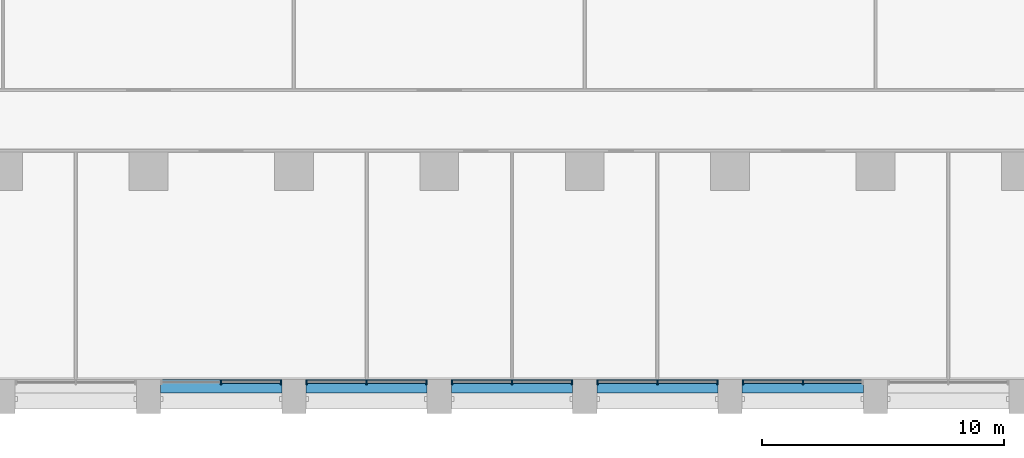
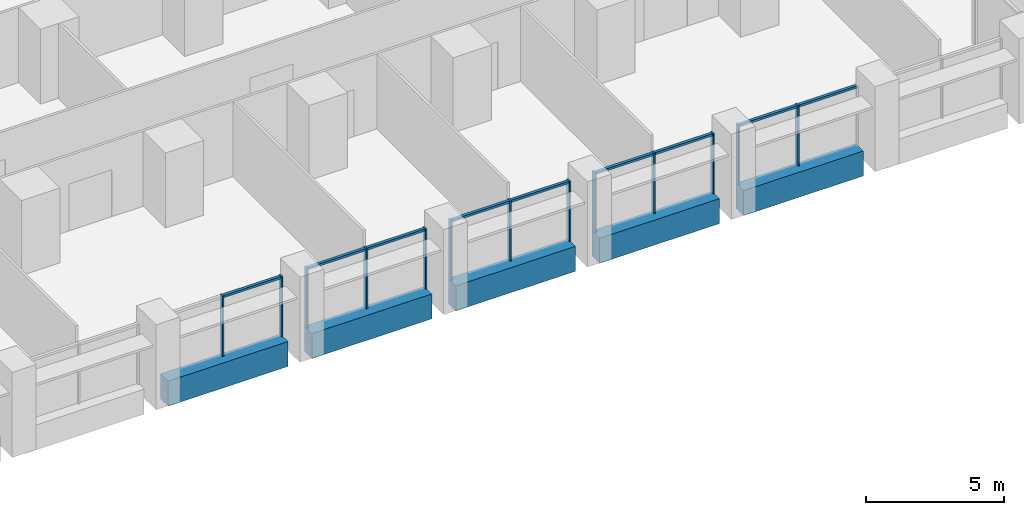
# One storey, part 3 of 18: 22 members, 5 beams, 5 elements without a shape of their own.
"""IFC4 building model written with IfcOpenShell, lengths in metres."""

import ifcopenshell
import ifcopenshell.guid

model = None  # the IFC model being written
_history = None  # IfcOwnerHistory: only IFC2X3 demands one
_inside = {}  # id of a spatial element -> (the spatial element, [elements in it])
_under = {}  # id of a project, library or spatial element -> (it, [spatial elements below it])
_declared = {}  # id of a project -> (the project, [libraries it declares])
_typed = {}  # id of a type object -> (the type object, [elements of that type])
_made_of = {}  # id of a material, layer set ... -> (it, [elements and type objects made of it])


def new_model(schema):
    """Start an empty IFC model of exactly this schema.

    Asked for "IFC4X3", IfcOpenShell would pick the latest addendum, in which some entities
    have other attributes; the version numbers below select the first issue.
    IFC2X3 requires an IfcOwnerHistory on every rooted entity: one is made here for all.
    """
    global model, _history
    if schema == "IFC4X3":
        model = ifcopenshell.file(schema_version=(4, 3, 0, 0))
    else:
        model = ifcopenshell.file(schema=schema)
    _inside.clear()
    _under.clear()
    _declared.clear()
    _typed.clear()
    _made_of.clear()
    _history = None
    if model.schema == "IFC2X3":
        org = make("IfcOrganization", Name="unknown")
        user = make(
            "IfcPersonAndOrganization",
            ThePerson=make("IfcPerson", FamilyName="unknown"),
            TheOrganization=org,
        )
        app = make(
            "IfcApplication",
            ApplicationDeveloper=org,
            Version="unknown",
            ApplicationFullName="unknown",
            ApplicationIdentifier="unknown",
        )
        _history = make(
            "IfcOwnerHistory",
            OwningUser=user,
            OwningApplication=app,
            ChangeAction="ADDED",
            CreationDate=0,
        )
    return model


def make(cls, **values):
    """One entity of the class cls with the attributes given. An attribute that is None is left unset."""
    return model.create_entity(
        cls, **{name: value for name, value in values.items() if value is not None}
    )


def rooted(cls, **values):
    """An entity with a GlobalId (a new one), such as an element, a storey or a relation."""
    return make(cls, GlobalId=ifcopenshell.guid.new(), OwnerHistory=_history, **values)


def si_unit(unit_type, name, prefix=None):
    """IfcSIUnit, for example si_unit("LENGTHUNIT", "METRE", prefix="MILLI")."""
    return make("IfcSIUnit", UnitType=unit_type, Prefix=prefix, Name=name)


def assignment(units):
    """IfcUnitAssignment: the units of a project."""
    return None if units is None else make("IfcUnitAssignment", Units=units)


def point(xyz):
    """IfcCartesianPoint."""
    return None if xyz is None else make("IfcCartesianPoint", Coordinates=xyz)


def direction(xyz):
    """IfcDirection."""
    return None if xyz is None else make("IfcDirection", DirectionRatios=xyz)


def frame(location, z_axis=None, x_axis=None):
    """IfcAxis2Placement3D, a coordinate frame: its origin and axes. An axis left out is left unset."""
    return make(
        "IfcAxis2Placement3D",
        Location=point(location),
        Axis=direction(z_axis),
        RefDirection=direction(x_axis),
    )


def frame_2d(location, x_axis=None):
    """IfcAxis2Placement2D, a coordinate frame in the plane: its origin and x axis."""
    return make(
        "IfcAxis2Placement2D", Location=point(location), RefDirection=direction(x_axis)
    )


def origin():
    """The frame at (0, 0, 0) with its axes left unset."""
    return frame((0.0, 0.0, 0.0))


def origin_2d():
    """The frame at (0, 0) in the plane with its x axis left unset."""
    return frame_2d((0.0, 0.0))


def place(relative_to, where):
    """IfcLocalPlacement: puts the frame where relative to a parent placement (None: the world)."""
    return make(
        "IfcLocalPlacement", PlacementRelTo=relative_to, RelativePlacement=where
    )


def context(
    kind, dimensions, precision=None, world=None, true_north=None, identifier=None
):
    """IfcGeometricRepresentationContext, for example the 3D "Model" context."""
    return make(
        "IfcGeometricRepresentationContext",
        ContextIdentifier=identifier,
        ContextType=kind,
        CoordinateSpaceDimension=dimensions,
        Precision=precision,
        WorldCoordinateSystem=world,
        TrueNorth=true_north,
    )


def subcontext(parent, identifier, kind, view, scale=None):
    """IfcGeometricRepresentationSubContext, for example "Body" below "Model"."""
    return make(
        "IfcGeometricRepresentationSubContext",
        ContextIdentifier=identifier,
        ContextType=kind,
        ParentContext=parent,
        TargetScale=scale,
        TargetView=view,
    )


def project(units=None, contexts=None):
    """IfcProject with its units and contexts."""
    return rooted(
        "IfcProject",
        Name="project",
        RepresentationContexts=contexts,
        UnitsInContext=assignment(units),
    )


def spatial(cls, under=None, at=None, **own):
    """A site, building, storey or space (cls), placed at a placement, below another one or the project."""
    s = rooted(cls, ObjectPlacement=at, **own)
    if under is not None:
        _under.setdefault(under.id(), (under, []))[1].append(s)
    return s


def profile(cls, at=None, kind="AREA", **sizes):
    """A parametric profile (cls). Its sizes go by their IFC names, for example OverallWidth=200.0."""
    return make(cls, ProfileType=kind, Position=at, **sizes)


def rectangle(**sizes):
    """IfcRectangleProfileDef."""
    return profile("IfcRectangleProfileDef", **sizes)


def extrude(swept, where, along, depth):
    """IfcExtrudedAreaSolid: the profile swept, set in the frame where, extruded along a direction by depth."""
    return make(
        "IfcExtrudedAreaSolid",
        SweptArea=swept,
        Position=where,
        ExtrudedDirection=direction(along),
        Depth=depth,
    )


def shape(context_of_items, identifier, shape_type, items):
    """IfcShapeRepresentation: the items that make up one representation, for example the "Body"."""
    return make(
        "IfcShapeRepresentation",
        ContextOfItems=context_of_items,
        RepresentationIdentifier=identifier,
        RepresentationType=shape_type,
        Items=items,
    )


def material(Name=None, Category=None):
    """IfcMaterial."""
    return make("IfcMaterial", Name=Name, Category=Category)


def material_profile(
    of_material, cross_section, Name=None, Category=None, Priority=None
):
    """IfcMaterialProfile: a cross section and its material."""
    return make(
        "IfcMaterialProfile",
        Name=Name,
        Material=of_material,
        Profile=cross_section,
        Priority=Priority,
        Category=Category,
    )


def profile_set(profiles, Name=None, composite=None):
    """IfcMaterialProfileSet."""
    return make(
        "IfcMaterialProfileSet",
        Name=Name,
        MaterialProfiles=profiles,
        CompositeProfile=composite,
    )


def made_of(thing, what):
    """Note that an element or type object is made of a material, layer set ...; save() writes the relation."""
    if what is not None:
        _made_of.setdefault(what.id(), (what, []))[1].append(thing)
    return thing


def type_object(cls, material=None, **own):
    """A type object (cls), such as IfcWallType, which elements share."""
    return made_of(rooted(cls, **own), material)


def element(
    cls,
    number,
    at=None,
    inside=None,
    cuts=None,
    type_object=None,
    material=None,
    context=None,
    identifier="Body",
    shape_type=None,
    held_by="IfcProductDefinitionShape",
    body=None,
    shapes=None,
    **own,
):
    """One element of the class cls, such as IfcWall. Its Tag is "e" and its number.

    at: its placement. inside: the storey or other place that contains it. cuts: it is an
    opening in that element (IfcRelVoidsElement). A single representation is given by context,
    identifier, shape_type and body (its items); several are given by shapes. held_by: the class
    of the entity that holds the representations. save() writes the other relations.
    """
    e = rooted(cls, Tag="e%d" % number, ObjectPlacement=at, **own)
    if body is not None:
        shapes = [shape(context, identifier, shape_type, body)]
    if shapes is not None:
        e.Representation = make(held_by, Representations=shapes)
    if inside is not None:
        _inside.setdefault(inside.id(), (inside, []))[1].append(e)
    if cuts is not None:
        rooted(
            "IfcRelVoidsElement", RelatingBuildingElement=cuts, RelatedOpeningElement=e
        )
    if type_object is not None:
        _typed.setdefault(type_object.id(), (type_object, []))[1].append(e)
    return made_of(e, material)


def aggregate(whole, parts):
    """IfcRelAggregates: a whole, such as a stair, and the parts it consists of."""
    return rooted("IfcRelAggregates", RelatingObject=whole, RelatedObjects=parts)


def save(model, path):
    """Write the relations noted so far, then the file.

    IfcRelAggregates (storeys below a building ...), IfcRelContainedInSpatialStructure (elements
    in a storey), IfcRelDefinesByType, IfcRelAssociatesMaterial and IfcRelDeclares: one each for
    every whole, place, type object, material and project.
    """
    for whole, parts in _under.values():
        aggregate(whole, parts)
    for where, things in _inside.values():
        rooted(
            "IfcRelContainedInSpatialStructure",
            RelatedElements=things,
            RelatingStructure=where,
        )
    for kind, things in _typed.values():
        rooted("IfcRelDefinesByType", RelatedObjects=things, RelatingType=kind)
    for what, things in _made_of.values():
        rooted("IfcRelAssociatesMaterial", RelatedObjects=things, RelatingMaterial=what)
    for by, libraries in _declared.values():
        rooted("IfcRelDeclares", RelatingContext=by, RelatedDefinitions=libraries)
    model.write(path)


model = new_model("IFC4")

# Units and contexts
model_context = context("Model", 3, precision=1e-05, world=origin(), true_north=direction((0.0, 1.0)))
body_context = subcontext(model_context, "Body", "Model", "MODEL_VIEW")
ifc_project = project(units=[si_unit("LENGTHUNIT", "METRE"), si_unit("AREAUNIT", "SQUARE_METRE"), si_unit("VOLUMEUNIT", "CUBIC_METRE"), si_unit("PLANEANGLEUNIT", "RADIAN"), si_unit("MASSUNIT", "GRAM", prefix="KILO")], contexts=[model_context])

# Site, building, storey
site_placement = place(None, origin())
site = spatial("IfcSite", under=ifc_project, at=site_placement, CompositionType="ELEMENT")
building_placement = place(site_placement, origin())
building = spatial("IfcBuilding", under=site, at=building_placement, Name="Calvaro Tower", CompositionType="ELEMENT")
storey_placement = place(building_placement, frame((0.0, 0.0, 63.75)))
storey = spatial("IfcBuildingStorey", under=building, at=storey_placement, Name="L15", CompositionType="ELEMENT", Elevation=63.75)

# Curtain wall, members
ifc_material_1 = material(Name="Anodised aluminium", Category="aluminium")
curtain_wall_type = type_object("IfcCurtainWallType", Name="Office curtain wall, lower zone", PredefinedType="NOTDEFINED", material=ifc_material_1)
curtain_wall_1_placement = place(storey_placement, origin())
curtain_wall_1 = element("IfcCurtainWall", 1, at=curtain_wall_1_placement, inside=storey, type_object=curtain_wall_type, Name="CW1 south curtain wall", PredefinedType="NOTDEFINED")
ifc_material_2 = material(Name="Anodised aluminium", Category="aluminium")
ifc_material_profile_1 = material_profile(ifc_material_2, rectangle(XDim=0.199951171875, YDim=0.06005859375, at=origin_2d()), Name="Mullion S1 60 x 200")
ifc_profile_set_1 = profile_set([ifc_material_profile_1], Name="Anodised aluminium")
member_type_1 = type_object("IfcMemberType", Name="Mullion S1 60 x 200", PredefinedType="MULLION", material=ifc_profile_set_1)
member_1_placement = place(storey_placement, frame((39.0, 1.300048828125, 0.0), z_axis=(0.0, 0.0, 1.0), x_axis=(0.0, 1.0, 0.0)))
member_1 = element("IfcMember", 2, at=member_1_placement, type_object=member_type_1, Name="CW1 mullion 2", PredefinedType="MULLION", context=body_context, shape_type="SweptSolid", body=[
    extrude(rectangle(XDim=0.199951171875, YDim=0.06005859375, at=origin_2d()), origin(), (0.0, 0.0, 1.0), 2.64990234375),
])
member_2_placement = place(storey_placement, frame((41.469970703125, 1.300048828125, 0.0), z_axis=(0.0, 0.0, 1.0), x_axis=(0.0, 1.0, 0.0)))
member_2 = element("IfcMember", 3, at=member_2_placement, type_object=member_type_1, Name="CW1 mullion 3", PredefinedType="MULLION", context=body_context, shape_type="SweptSolid", body=[
    extrude(rectangle(XDim=0.199951171875, YDim=0.06005859375, at=origin_2d()), origin(), (0.0, 0.0, 1.0), 2.64990234375),
])

curtain_wall_2_placement = place(storey_placement, origin())
curtain_wall_2 = element("IfcCurtainWall", 4, at=curtain_wall_2_placement, inside=storey, type_object=curtain_wall_type, Name="CW1 south curtain wall", PredefinedType="NOTDEFINED")
member_3_placement = place(storey_placement, frame((42.530029296875, 1.300048828125, 0.0), z_axis=(0.0, 0.0, 1.0), x_axis=(0.0, 1.0, 0.0)))
member_3 = element("IfcMember", 5, at=member_3_placement, type_object=member_type_1, Name="CW1 mullion 1", PredefinedType="MULLION", context=body_context, shape_type="SweptSolid", body=[
    extrude(rectangle(XDim=0.199951171875, YDim=0.06005859375, at=origin_2d()), origin(), (0.0, 0.0, 1.0), 2.64990234375),
])
member_4_placement = place(storey_placement, frame((45.0, 1.300048828125, 0.0), z_axis=(0.0, 0.0, 1.0), x_axis=(0.0, 1.0, 0.0)))
member_4 = element("IfcMember", 6, at=member_4_placement, type_object=member_type_1, Name="CW1 mullion 2", PredefinedType="MULLION", context=body_context, shape_type="SweptSolid", body=[
    extrude(rectangle(XDim=0.199951171875, YDim=0.06005859375, at=origin_2d()), origin(), (0.0, 0.0, 1.0), 2.64990234375),
])
member_5_placement = place(storey_placement, frame((47.469970703125, 1.300048828125, 0.0), z_axis=(0.0, 0.0, 1.0), x_axis=(0.0, 1.0, 0.0)))
member_5 = element("IfcMember", 7, at=member_5_placement, type_object=member_type_1, Name="CW1 mullion 3", PredefinedType="MULLION", context=body_context, shape_type="SweptSolid", body=[
    extrude(rectangle(XDim=0.199951171875, YDim=0.06005859375, at=origin_2d()), origin(), (0.0, 0.0, 1.0), 2.64990234375),
])

curtain_wall_3_placement = place(storey_placement, origin())
curtain_wall_3 = element("IfcCurtainWall", 8, at=curtain_wall_3_placement, inside=storey, type_object=curtain_wall_type, Name="CW1 south curtain wall", PredefinedType="NOTDEFINED")
member_6_placement = place(storey_placement, frame((48.530029296875, 1.300048828125, 0.0), z_axis=(0.0, 0.0, 1.0), x_axis=(0.0, 1.0, 0.0)))
member_6 = element("IfcMember", 9, at=member_6_placement, type_object=member_type_1, Name="CW1 mullion 1", PredefinedType="MULLION", context=body_context, shape_type="SweptSolid", body=[
    extrude(rectangle(XDim=0.199951171875, YDim=0.06005859375, at=origin_2d()), origin(), (0.0, 0.0, 1.0), 2.64990234375),
])
member_7_placement = place(storey_placement, frame((51.0, 1.300048828125, 0.0), z_axis=(0.0, 0.0, 1.0), x_axis=(0.0, 1.0, 0.0)))
member_7 = element("IfcMember", 10, at=member_7_placement, type_object=member_type_1, Name="CW1 mullion 2", PredefinedType="MULLION", context=body_context, shape_type="SweptSolid", body=[
    extrude(rectangle(XDim=0.199951171875, YDim=0.06005859375, at=origin_2d()), origin(), (0.0, 0.0, 1.0), 2.64990234375),
])
member_8_placement = place(storey_placement, frame((53.469970703125, 1.300048828125, 0.0), z_axis=(0.0, 0.0, 1.0), x_axis=(0.0, 1.0, 0.0)))
member_8 = element("IfcMember", 11, at=member_8_placement, type_object=member_type_1, Name="CW1 mullion 3", PredefinedType="MULLION", context=body_context, shape_type="SweptSolid", body=[
    extrude(rectangle(XDim=0.199951171875, YDim=0.06005859375, at=origin_2d()), origin(), (0.0, 0.0, 1.0), 2.64990234375),
])

curtain_wall_4_placement = place(storey_placement, origin())
curtain_wall_4 = element("IfcCurtainWall", 12, at=curtain_wall_4_placement, inside=storey, type_object=curtain_wall_type, Name="CW1 south curtain wall", PredefinedType="NOTDEFINED")
member_9_placement = place(storey_placement, frame((54.530029296875, 1.300048828125, 0.0), z_axis=(0.0, 0.0, 1.0), x_axis=(0.0, 1.0, 0.0)))
member_9 = element("IfcMember", 13, at=member_9_placement, type_object=member_type_1, Name="CW1 mullion 1", PredefinedType="MULLION", context=body_context, shape_type="SweptSolid", body=[
    extrude(rectangle(XDim=0.199951171875, YDim=0.06005859375, at=origin_2d()), origin(), (0.0, 0.0, 1.0), 2.64990234375),
])
member_10_placement = place(storey_placement, frame((57.0, 1.300048828125, 0.0), z_axis=(0.0, 0.0, 1.0), x_axis=(0.0, 1.0, 0.0)))
member_10 = element("IfcMember", 14, at=member_10_placement, type_object=member_type_1, Name="CW1 mullion 2", PredefinedType="MULLION", context=body_context, shape_type="SweptSolid", body=[
    extrude(rectangle(XDim=0.199951171875, YDim=0.06005859375, at=origin_2d()), origin(), (0.0, 0.0, 1.0), 2.64990234375),
])
member_11_placement = place(storey_placement, frame((59.469970703125, 1.300048828125, 0.0), z_axis=(0.0, 0.0, 1.0), x_axis=(0.0, 1.0, 0.0)))
member_11 = element("IfcMember", 15, at=member_11_placement, type_object=member_type_1, Name="CW1 mullion 3", PredefinedType="MULLION", context=body_context, shape_type="SweptSolid", body=[
    extrude(rectangle(XDim=0.199951171875, YDim=0.06005859375, at=origin_2d()), origin(), (0.0, 0.0, 1.0), 2.64990234375),
])

curtain_wall_5_placement = place(storey_placement, origin())
curtain_wall_5 = element("IfcCurtainWall", 16, at=curtain_wall_5_placement, inside=storey, type_object=curtain_wall_type, Name="CW1 south curtain wall", PredefinedType="NOTDEFINED")
member_12_placement = place(storey_placement, frame((60.530029296875, 1.300048828125, 0.0), z_axis=(0.0, 0.0, 1.0), x_axis=(0.0, 1.0, 0.0)))
member_12 = element("IfcMember", 17, at=member_12_placement, type_object=member_type_1, Name="CW1 mullion 1", PredefinedType="MULLION", context=body_context, shape_type="SweptSolid", body=[
    extrude(rectangle(XDim=0.199951171875, YDim=0.06005859375, at=origin_2d()), origin(), (0.0, 0.0, 1.0), 2.64990234375),
])
member_13_placement = place(storey_placement, frame((63.0, 1.300048828125, 0.0), z_axis=(0.0, 0.0, 1.0), x_axis=(0.0, 1.0, 0.0)))
member_13 = element("IfcMember", 18, at=member_13_placement, type_object=member_type_1, Name="CW1 mullion 2", PredefinedType="MULLION", context=body_context, shape_type="SweptSolid", body=[
    extrude(rectangle(XDim=0.199951171875, YDim=0.06005859375, at=origin_2d()), origin(), (0.0, 0.0, 1.0), 2.64990234375),
])

# Beams
ifc_material_3 = material(Name="Concrete C50/60 precast", Category="concrete")
ifc_material_profile_2 = material_profile(ifc_material_3, rectangle(XDim=0.550048828125, YDim=1.10009765625, at=origin_2d()), Name="RC 550x1100")
ifc_profile_set_2 = profile_set([ifc_material_profile_2], Name="Concrete C50/60 precast")
beam_type = type_object("IfcBeamType", Name="Spandrel beam 550x1100 C50/60", PredefinedType="SPANDREL", material=ifc_profile_set_2)
for number, where, z_axis, x_axis, name in (
    (19, (36.5, 1.125, -0.550048828125), (1.0, 0.0, 0.0), (0.0, 1.0, 0.0), "Spandrel beam"),
    (20, (42.5, 1.125, -0.550048828125), (1.0, 0.0, 0.0), (0.0, 1.0, 0.0), "Spandrel beam"),
    (21, (48.5, 1.125, -0.550048828125), (1.0, 0.0, 0.0), (0.0, 1.0, 0.0), "Spandrel beam"),
    (22, (54.5, 1.125, -0.550048828125), (1.0, 0.0, 0.0), (0.0, 1.0, 0.0), "Spandrel beam"),
    (23, (60.5, 1.125, -0.550048828125), (1.0, 0.0, 0.0), (0.0, 1.0, 0.0), "Spandrel beam"),
):
    element("IfcBeam", number, at=place(storey_placement, frame(where, z_axis=z_axis, x_axis=x_axis)), inside=storey, type_object=beam_type, Name=name, PredefinedType="SPANDREL", context=body_context, shape_type="SweptSolid", body=[
        extrude(rectangle(XDim=0.550048828125, YDim=1.10009765625, at=origin_2d()), origin(), (0.0, 0.0, 1.0), 5.0),
    ])

# Member
ifc_material_4 = material(Name="Anodised aluminium", Category="aluminium")
ifc_material_profile_3 = material_profile(ifc_material_4, rectangle(XDim=0.1201171875, YDim=0.10009765625, at=origin_2d()), Name="Transom S1 100 x 120")
ifc_profile_set_3 = profile_set([ifc_material_profile_3], Name="Anodised aluminium")
member_type_2 = type_object("IfcMemberType", Name="Transom S1 100 x 120", PredefinedType="USERDEFINED", material=ifc_profile_set_3)
member_14_placement = place(storey_placement, frame((39.030029296875, 1.300048828125, 2.60009765625), z_axis=(1.0, 0.0, 0.0), x_axis=(0.0, 1.0, 0.0)))
member_14 = element("IfcMember", 24, at=member_14_placement, type_object=member_type_2, Name="CW1 transom 2.1", ObjectType="TRANSOM", PredefinedType="USERDEFINED", context=body_context, shape_type="SweptSolid", body=[
    extrude(rectangle(XDim=0.1201171875, YDim=0.10009765625, at=origin_2d()), origin(), (0.0, 0.0, 1.0), 2.409912109375),
])

aggregate(curtain_wall_1, [member_1, member_2, member_14])

member_15_placement = place(storey_placement, frame((42.56005859375, 1.300048828125, 2.60009765625), z_axis=(1.0, 0.0, 0.0), x_axis=(0.0, 1.0, 0.0)))
member_15 = element("IfcMember", 25, at=member_15_placement, type_object=member_type_2, Name="CW1 transom 1.1", ObjectType="TRANSOM", PredefinedType="USERDEFINED", context=body_context, shape_type="SweptSolid", body=[
    extrude(rectangle(XDim=0.1201171875, YDim=0.10009765625, at=origin_2d()), origin(), (0.0, 0.0, 1.0), 2.409912109375),
])

member_16_placement = place(storey_placement, frame((45.030029296875, 1.300048828125, 2.60009765625), z_axis=(1.0, 0.0, 0.0), x_axis=(0.0, 1.0, 0.0)))
member_16 = element("IfcMember", 26, at=member_16_placement, type_object=member_type_2, Name="CW1 transom 2.1", ObjectType="TRANSOM", PredefinedType="USERDEFINED", context=body_context, shape_type="SweptSolid", body=[
    extrude(rectangle(XDim=0.1201171875, YDim=0.10009765625, at=origin_2d()), origin(), (0.0, 0.0, 1.0), 2.409912109375),
])

aggregate(curtain_wall_2, [member_3, member_4, member_5, member_15, member_16])

member_17_placement = place(storey_placement, frame((48.56005859375, 1.300048828125, 2.60009765625), z_axis=(1.0, 0.0, 0.0), x_axis=(0.0, 1.0, 0.0)))
member_17 = element("IfcMember", 27, at=member_17_placement, type_object=member_type_2, Name="CW1 transom 1.1", ObjectType="TRANSOM", PredefinedType="USERDEFINED", context=body_context, shape_type="SweptSolid", body=[
    extrude(rectangle(XDim=0.1201171875, YDim=0.10009765625, at=origin_2d()), origin(), (0.0, 0.0, 1.0), 2.409912109375),
])

member_18_placement = place(storey_placement, frame((51.030029296875, 1.300048828125, 2.60009765625), z_axis=(1.0, 0.0, 0.0), x_axis=(0.0, 1.0, 0.0)))
member_18 = element("IfcMember", 28, at=member_18_placement, type_object=member_type_2, Name="CW1 transom 2.1", ObjectType="TRANSOM", PredefinedType="USERDEFINED", context=body_context, shape_type="SweptSolid", body=[
    extrude(rectangle(XDim=0.1201171875, YDim=0.10009765625, at=origin_2d()), origin(), (0.0, 0.0, 1.0), 2.409912109375),
])

aggregate(curtain_wall_3, [member_6, member_7, member_8, member_17, member_18])

member_19_placement = place(storey_placement, frame((54.56005859375, 1.300048828125, 2.60009765625), z_axis=(1.0, 0.0, 0.0), x_axis=(0.0, 1.0, 0.0)))
member_19 = element("IfcMember", 29, at=member_19_placement, type_object=member_type_2, Name="CW1 transom 1.1", ObjectType="TRANSOM", PredefinedType="USERDEFINED", context=body_context, shape_type="SweptSolid", body=[
    extrude(rectangle(XDim=0.1201171875, YDim=0.10009765625, at=origin_2d()), origin(), (0.0, 0.0, 1.0), 2.409912109375),
])

member_20_placement = place(storey_placement, frame((57.030029296875, 1.300048828125, 2.60009765625), z_axis=(1.0, 0.0, 0.0), x_axis=(0.0, 1.0, 0.0)))
member_20 = element("IfcMember", 30, at=member_20_placement, type_object=member_type_2, Name="CW1 transom 2.1", ObjectType="TRANSOM", PredefinedType="USERDEFINED", context=body_context, shape_type="SweptSolid", body=[
    extrude(rectangle(XDim=0.1201171875, YDim=0.10009765625, at=origin_2d()), origin(), (0.0, 0.0, 1.0), 2.409912109375),
])

aggregate(curtain_wall_4, [member_9, member_10, member_11, member_19, member_20])

member_21_placement = place(storey_placement, frame((60.56005859375, 1.300048828125, 2.60009765625), z_axis=(1.0, 0.0, 0.0), x_axis=(0.0, 1.0, 0.0)))
member_21 = element("IfcMember", 31, at=member_21_placement, type_object=member_type_2, Name="CW1 transom 1.1", ObjectType="TRANSOM", PredefinedType="USERDEFINED", context=body_context, shape_type="SweptSolid", body=[
    extrude(rectangle(XDim=0.1201171875, YDim=0.10009765625, at=origin_2d()), origin(), (0.0, 0.0, 1.0), 2.409912109375),
])

member_22_placement = place(storey_placement, frame((63.030029296875, 1.300048828125, 2.60009765625), z_axis=(1.0, 0.0, 0.0), x_axis=(0.0, 1.0, 0.0)))
member_22 = element("IfcMember", 32, at=member_22_placement, type_object=member_type_2, Name="CW1 transom 2.1", ObjectType="TRANSOM", PredefinedType="USERDEFINED", context=body_context, shape_type="SweptSolid", body=[
    extrude(rectangle(XDim=0.1201171875, YDim=0.10009765625, at=origin_2d()), origin(), (0.0, 0.0, 1.0), 2.409912109375),
])

aggregate(curtain_wall_5, [member_12, member_13, member_21, member_22])

save(model, "model.ifc")
